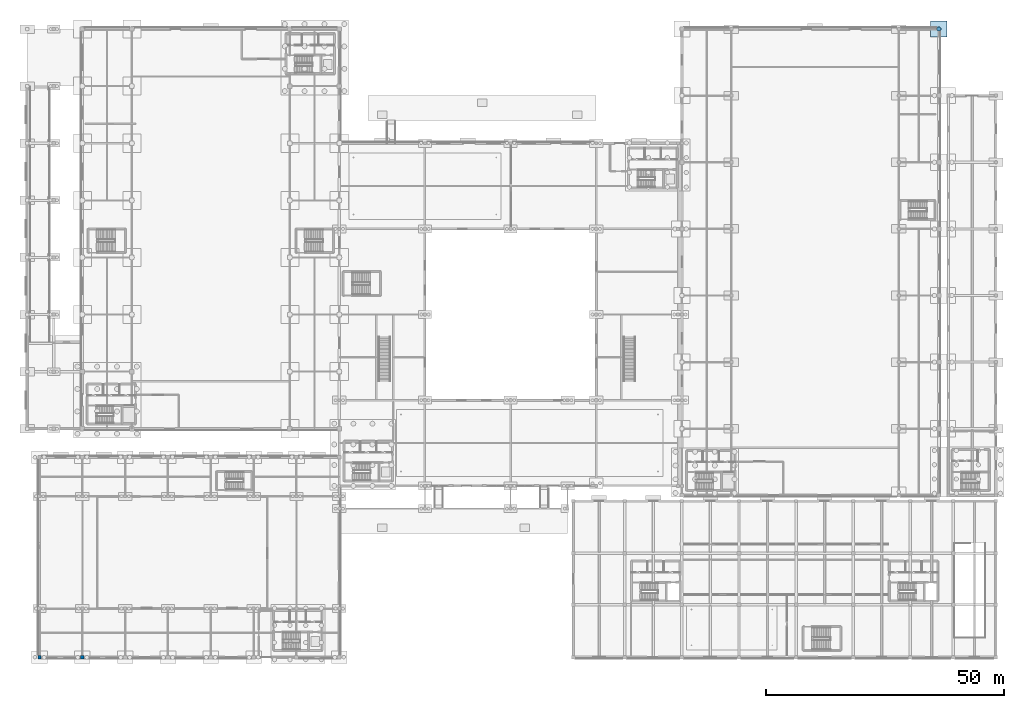
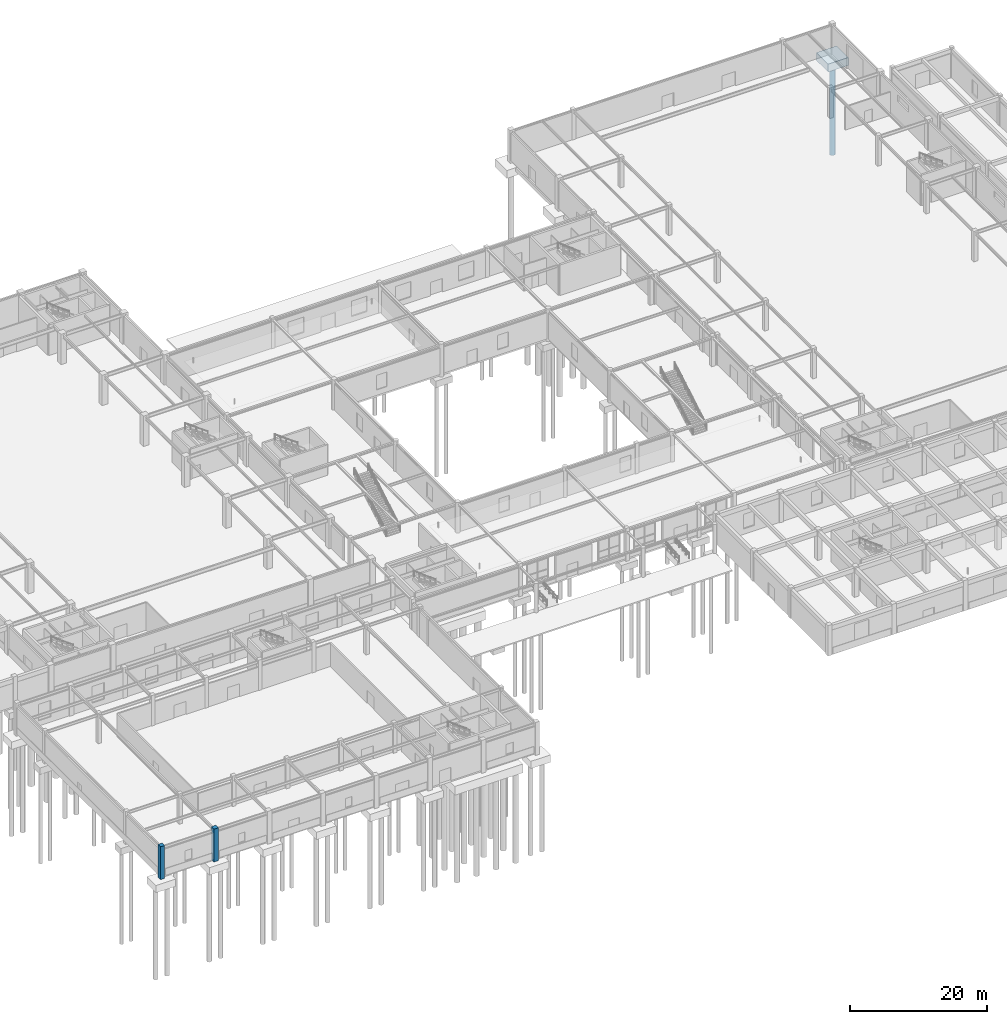
# One storey, part 7 of 53: 2 columns, 1 footing, 1 pile.
"""IFC4 building model written with IfcOpenShell, lengths in metres."""

from ifc_helpers import new_model, si_unit, derived_unit, direction, frame, origin, origin_2d, place, context, subcontext, project, spatial, polyline, rectangle, circle, outline, extrude, material, layer, layer_set, material_profile, profile_set, type_object, element, save


model = new_model("IFC4")

# Units and contexts
model_context = context("Model", 3, precision=1e-05, world=origin(), true_north=direction((0.0, 1.0)))
body_context = subcontext(model_context, "Body", "Model", "MODEL_VIEW")
ifc_project = project(units=[si_unit("LENGTHUNIT", "METRE"), si_unit("AREAUNIT", "SQUARE_METRE"), si_unit("VOLUMEUNIT", "CUBIC_METRE"), si_unit("PLANEANGLEUNIT", "RADIAN"), si_unit("MASSUNIT", "GRAM", prefix="KILO"), derived_unit("THERMALTRANSMITTANCEUNIT", [(si_unit("POWERUNIT", "WATT"), 1), (si_unit("LENGTHUNIT", "METRE"), -2), (si_unit("THERMODYNAMICTEMPERATUREUNIT", "KELVIN"), -1)])], contexts=[model_context])

# Site, building, storey
site_placement = place(None, origin())
site = spatial("IfcSite", under=ifc_project, at=site_placement, CompositionType="ELEMENT")
building_placement = place(site_placement, origin())
building = spatial("IfcBuilding", under=site, at=building_placement, Name="Almenara Railside Exhibition Hall", CompositionType="ELEMENT")
storey_placement = place(building_placement, origin())
storey = spatial("IfcBuildingStorey", under=building, at=storey_placement, Name="L00", CompositionType="ELEMENT", Elevation=0.0)

# Pile
ifc_material = material(Name="Concrete C40/50", Category="concrete")
ifc_material_profile_1 = material_profile(ifc_material, circle(Radius=0.449951171875, at=origin_2d()), Name="CFA-PILE D900")
ifc_profile_set_1 = profile_set([ifc_material_profile_1], Name="Concrete C40/50")
pile_type = type_object("IfcPileType", Name="CFA Bored Pile D900 C40/50", PredefinedType="BORED", material=ifc_profile_set_1)
pile_placement = place(storey_placement, frame((192.0, 132.0, -1.739990234375), z_axis=(0.0, 0.0, -1.0), x_axis=(1.0, 0.0, 0.0)))
element("IfcPile", 1, at=pile_placement, inside=storey, type_object=pile_type, Name="Bored pile 0200", PredefinedType="BORED", context=body_context, shape_type="SweptSolid", body=[
    extrude(circle(Radius=0.449951171875, at=origin_2d()), origin(), (0.0, 0.0, 1.0), 16.260009765625),
])

# Footing
ifc_layer = layer(ifc_material, 1.39990234375, Name="Concrete C40/50")
ifc_layer_set = layer_set([ifc_layer], Name="Concrete C40/50")
footing_type = type_object("IfcFootingType", Name="Hall Four-Pile Cap 3400x3400x1400 C40/50", PredefinedType="PILE_CAP", material=ifc_layer_set)
footing_placement = place(storey_placement, frame((0.0, 0.0, -1.840087890625)))
element("IfcFooting", 2, at=footing_placement, inside=storey, type_object=footing_type, Name="Pile cap PC-4H-058", PredefinedType="PILE_CAP", context=body_context, shape_type="SweptSolid", body=[
    extrude(outline(polyline([(190.300048828125, 130.300048828125), (193.699951171875, 130.300048828125), (193.699951171875, 133.699951171875), (190.300048828125, 133.699951171875), (190.300048828125, 130.300048828125)])), origin(), (0.0, 0.0, 1.0), 1.400146484375),
])

# Columns
ifc_material_profile_2 = material_profile(ifc_material, rectangle(XDim=0.699951171875, YDim=0.699951171875, at=origin_2d()), Name="RC 700x700")
ifc_profile_set_2 = profile_set([ifc_material_profile_2], Name="Concrete C40/50")
column_type_1 = type_object("IfcColumnType", Name="RC Column 700x700 C40/50", PredefinedType="COLUMN", material=ifc_profile_set_2)
column_1_placement = place(storey_placement, frame((3.0, 0.0, -0.43994140625), z_axis=(0.0, 0.0, 1.0), x_axis=(1.0, 0.0, 0.0)))
element("IfcColumn", 3, at=column_1_placement, inside=storey, type_object=column_type_1, Name="Column 0137", PredefinedType="COLUMN", context=body_context, shape_type="SweptSolid", body=[
    extrude(rectangle(XDim=0.699951171875, YDim=0.699951171875, at=origin_2d()), origin(), (0.0, 0.0, 1.0), 5.83984375),
])
ifc_material_profile_3 = material_profile(ifc_material, rectangle(XDim=0.75, YDim=0.75, at=origin_2d()), Name="RC 750x750")
ifc_profile_set_3 = profile_set([ifc_material_profile_3], Name="Concrete C40/50")
column_type_2 = type_object("IfcColumnType", Name="RC Column 750x750 C40/50", PredefinedType="COLUMN", material=ifc_profile_set_3)
column_2_placement = place(storey_placement, frame((12.0, 0.0, -0.43994140625), z_axis=(0.0, 0.0, 1.0), x_axis=(1.0, 0.0, 0.0)))
element("IfcColumn", 4, at=column_2_placement, inside=storey, type_object=column_type_2, Name="Column 0143", PredefinedType="COLUMN", context=body_context, shape_type="SweptSolid", body=[
    extrude(rectangle(XDim=0.75, YDim=0.75, at=origin_2d()), origin(), (0.0, 0.0, 1.0), 5.83984375),
])

save(model, "model.ifc")
